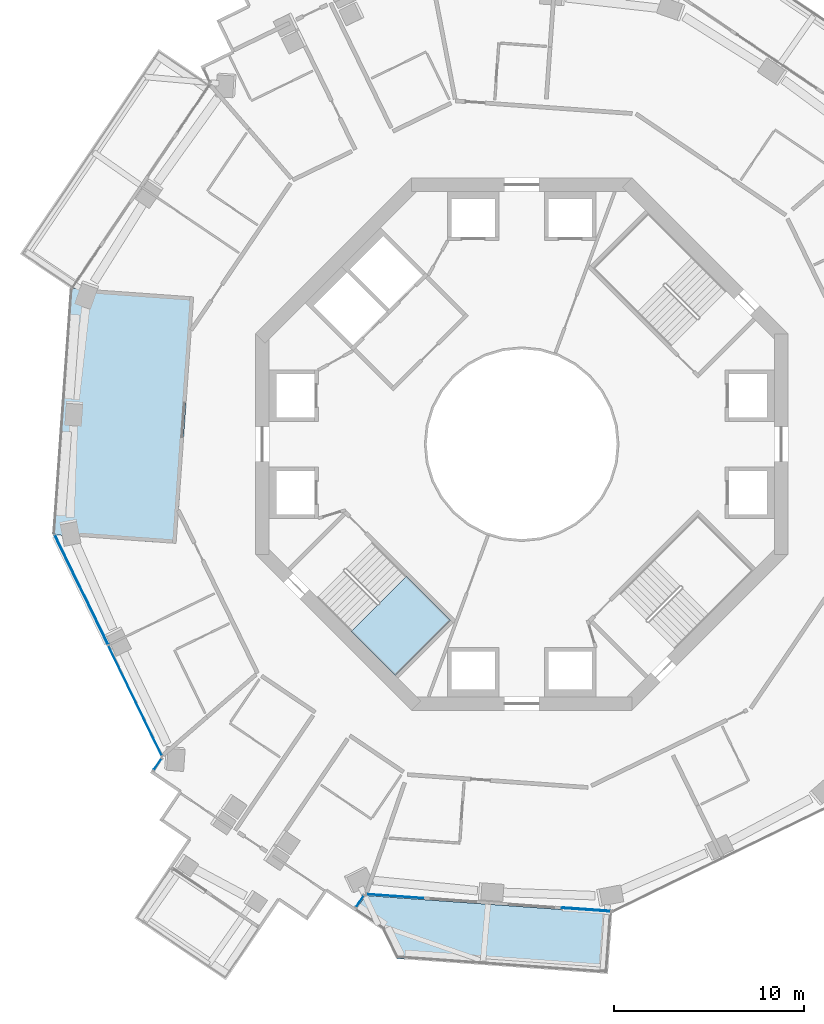
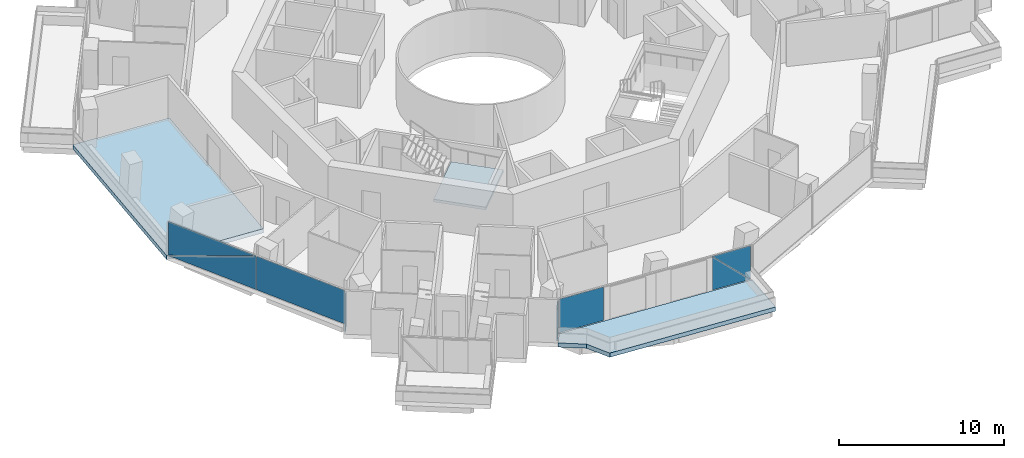
# One storey, part 10 of 22: 8 plates, 3 slabs, 5 elements without a shape of their own.
"""IFC4 building model written with IfcOpenShell, lengths in metres."""

from ifc_helpers import new_model, si_unit, direction, frame, origin, origin_2d, place, context, subcontext, project, spatial, polyline, rectangle, outline, extrude, material, layer, layer_set, type_object, element, aggregate, save


model = new_model("IFC4")

# Units and contexts
model_context = context("Model", 3, precision=1e-05, world=origin(), true_north=direction((0.0, 1.0)))
body_context = subcontext(model_context, "Body", "Model", "MODEL_VIEW")
ifc_project = project(units=[si_unit("LENGTHUNIT", "METRE"), si_unit("AREAUNIT", "SQUARE_METRE"), si_unit("VOLUMEUNIT", "CUBIC_METRE"), si_unit("PLANEANGLEUNIT", "RADIAN"), si_unit("MASSUNIT", "GRAM", prefix="KILO")], contexts=[model_context])

# Site, building, storey
site_placement = place(None, origin())
site = spatial("IfcSite", under=ifc_project, at=site_placement, CompositionType="ELEMENT")
building_placement = place(site_placement, origin())
building = spatial("IfcBuilding", under=site, at=building_placement, Name="Verdalira Terraces Hotel", CompositionType="ELEMENT")
storey_placement = place(building_placement, frame((0.0, 0.0, 140.0)))
storey = spatial("IfcBuildingStorey", under=building, at=storey_placement, Name="L33", CompositionType="ELEMENT", Elevation=140.0)

# Slab
ifc_material_1 = material(Name="Precast concrete C40/50", Category="concrete")
ifc_layer_1 = layer(ifc_material_1, 0.31005859375)
ifc_layer_set_1 = layer_set([ifc_layer_1], Name="Balcony deck 310")
slab_type_1 = type_object("IfcSlabType", Name="Balcony deck 310", PredefinedType="FLOOR", material=ifc_layer_set_1)
slab_1_placement = place(storey_placement, frame((0.0, 0.0, -0.310059)))
element("IfcSlab", 1, at=slab_1_placement, inside=storey, type_object=slab_type_1, Name="Balcony deck", PredefinedType="FLOOR", context=body_context, shape_type="SweptSolid", body=[
    extrude(outline(polyline([(-8.209473, -23.734375), (-8.769775, -24.562744), (-7.335205, -25.533203), (-6.594238, -27.057617), (4.529785, -27.851318), (4.757568, -24.659424), (-8.209473, -23.734375)])), origin(), (0.0, 0.0, 1.0), 0.310059),
])

# Curtain wall, plates
ifc_material_2 = material(Name="Clear glass", Category="glass")
ifc_layer_2 = layer(ifc_material_2, 0.14990234375)
ifc_layer_set_2 = layer_set([ifc_layer_2], Name="CW1 curtain wall")
curtain_wall_type_1 = type_object("IfcCurtainWallType", Name="CW1 curtain wall", PredefinedType="NOTDEFINED", material=ifc_layer_set_2)
curtain_wall_1_placement = place(storey_placement, origin())
curtain_wall_1 = element("IfcCurtainWall", 2, at=curtain_wall_1_placement, inside=storey, type_object=curtain_wall_type_1, Name="CW1 curtain wall L33 edge 13", PredefinedType="NOTDEFINED")
ifc_material_3 = material(Name="Clear glass", Category="glass")
ifc_layer_3 = layer(ifc_material_3, 0.028076171875)
ifc_layer_set_3 = layer_set([ifc_layer_3], Name="CW1 glass unit 28")
plate_type_1 = type_object("IfcPlateType", Name="CW1 glass unit 28", PredefinedType="CURTAIN_PANEL", material=ifc_layer_set_3)
plate_1_placement = place(storey_placement, frame((-23.1521, -7.655273, 1.237549), z_axis=(-0.899405252, -0.437115767, 0.0), x_axis=(0.437115767, -0.899405252, 0.0)))
plate_1 = element("IfcPlate", 3, at=plate_1_placement, type_object=plate_type_1, Name="CW1 glass unit", PredefinedType="CURTAIN_PANEL", context=body_context, shape_type="SweptSolid", body=[
    extrude(outline(polyline([(-3.205078, -1.237549), (3.205078, -1.237549), (3.205078, 1.237549), (-3.205078, -1.237549)])), origin(), (0.0, 0.0, 1.0), 0.028076),
])
plate_2_placement = place(storey_placement, frame((-23.125977, -7.642578, 1.237549), z_axis=(-0.899405252, -0.437115767, 0.0), x_axis=(0.437115767, -0.899405252, 0.0)))
plate_2 = element("IfcPlate", 4, at=plate_2_placement, type_object=plate_type_1, Name="CW1 glass unit", PredefinedType="CURTAIN_PANEL", context=body_context, shape_type="SweptSolid", body=[
    extrude(outline(polyline([(-3.205078, -1.237549), (3.205078, 1.237549), (-3.205078, 1.237549), (-3.205078, -1.237549)])), origin(), (0.0, 0.0, 1.0), 0.028076),
])
plate_3_placement = place(storey_placement, frame((-20.336426, -13.480469, 0.0), z_axis=(0.0, 0.0, 1.0), x_axis=(0.437115767, -0.899405252, 0.0)))
plate_3 = element("IfcPlate", 5, at=plate_3_placement, type_object=plate_type_1, Name="CW1 glass unit", PredefinedType="CURTAIN_PANEL", context=body_context, shape_type="SweptSolid", body=[
    extrude(rectangle(XDim=6.409912, YDim=0.028076, at=origin_2d()), origin(), (0.0, 0.0, 1.0), 2.475098),
])
aggregate(curtain_wall_1, [plate_1, plate_2, plate_3])

curtain_wall_2_placement = place(storey_placement, origin())
curtain_wall_2 = element("IfcCurtainWall", 6, at=curtain_wall_2_placement, inside=storey, type_object=curtain_wall_type_1, Name="CW1 curtain wall L33 edge 25", PredefinedType="NOTDEFINED")
plate_4_placement = place(storey_placement, frame((-6.665527, -23.769287, 0.0), z_axis=(0.0, 0.0, 1.0), x_axis=(0.997465679, -0.071149267, 0.0)))
plate_4 = element("IfcPlate", 7, at=plate_4_placement, type_object=plate_type_1, Name="CW1 glass unit", PredefinedType="CURTAIN_PANEL", context=body_context, shape_type="SweptSolid", body=[
    extrude(rectangle(XDim=2.965088, YDim=0.028076, at=origin_2d()), origin(), (0.0, 0.0, 1.0), 2.475098),
])
plate_5_placement = place(storey_placement, frame((3.38501, -24.472168, 1.237549), z_axis=(-0.071149267, -0.997465679, 0.0), x_axis=(0.997465679, -0.071149267, 0.0)))
plate_5 = element("IfcPlate", 8, at=plate_5_placement, type_object=plate_type_1, Name="CW1 glass unit", PredefinedType="CURTAIN_PANEL", context=body_context, shape_type="SweptSolid", body=[
    extrude(outline(polyline([(-1.282227, -1.237549), (1.282227, -1.237549), (-1.282227, 1.237549), (-1.282227, -1.237549)])), origin(), (0.0, 0.0, 1.0), 0.028076),
])
plate_6_placement = place(storey_placement, frame((3.387207, -24.443115, 1.237549), z_axis=(-0.071149267, -0.997465679, 0.0), x_axis=(0.997465679, -0.071149267, 0.0)))
plate_6 = element("IfcPlate", 9, at=plate_6_placement, type_object=plate_type_1, Name="CW1 glass unit", PredefinedType="CURTAIN_PANEL", context=body_context, shape_type="SweptSolid", body=[
    extrude(outline(polyline([(1.282227, -1.237549), (1.282227, 1.237549), (-1.282227, 1.237549), (1.282227, -1.237549)])), origin(), (0.0, 0.0, 1.0), 0.028076),
])
aggregate(curtain_wall_2, [plate_4, plate_5, plate_6])

# Curtain wall, plate
ifc_material_4 = material(Name="Clear glass", Category="glass")
ifc_layer_4 = layer(ifc_material_4, 0.14990234375)
ifc_layer_set_4 = layer_set([ifc_layer_4], Name="CW2 curtain wall")
curtain_wall_type_2 = type_object("IfcCurtainWallType", Name="CW2 curtain wall", PredefinedType="NOTDEFINED", material=ifc_layer_set_4)
curtain_wall_3_placement = place(storey_placement, origin())
curtain_wall_3 = element("IfcCurtainWall", 10, at=curtain_wall_3_placement, inside=storey, type_object=curtain_wall_type_2, Name="CW2 curtain wall L33 edge 14", PredefinedType="NOTDEFINED")
ifc_material_5 = material(Name="Clear glass", Category="glass")
ifc_layer_5 = layer(ifc_material_5, 0.031982421875)
ifc_layer_set_5 = layer_set([ifc_layer_5], Name="CW2 glass unit 32")
plate_type_2 = type_object("IfcPlateType", Name="CW2 glass unit 32", PredefinedType="CURTAIN_PANEL", material=ifc_layer_set_5)
plate_7_placement = place(storey_placement, frame((-19.152832, -16.84375, 0.0), z_axis=(0.0, 0.0, 1.0), x_axis=(-0.560349913, -0.828255984, 0.0)))
plate_7 = element("IfcPlate", 11, at=plate_7_placement, type_object=plate_type_2, Name="CW2 glass unit", PredefinedType="CURTAIN_PANEL", context=body_context, shape_type="SweptSolid", body=[
    extrude(rectangle(XDim=0.709961, YDim=0.031982, at=origin_2d()), origin(), (0.0, 0.0, 1.0), 2.475098),
])
aggregate(curtain_wall_3, [plate_7])

curtain_wall_4_placement = place(storey_placement, origin())
curtain_wall_4 = element("IfcCurtainWall", 12, at=curtain_wall_4_placement, inside=storey, type_object=curtain_wall_type_2, Name="CW2 curtain wall L33 edge 24", PredefinedType="NOTDEFINED")
plate_8_placement = place(storey_placement, frame((-8.509766, -24.044434, 0.0), z_axis=(0.0, 0.0, 1.0), x_axis=(0.560349913, 0.828255984, 0.0)))
plate_8 = element("IfcPlate", 13, at=plate_8_placement, type_object=plate_type_2, Name="CW2 glass unit", PredefinedType="CURTAIN_PANEL", context=body_context, shape_type="SweptSolid", body=[
    extrude(rectangle(XDim=0.709961, YDim=0.031982, at=origin_2d()), origin(), (0.0, 0.0, 1.0), 2.475098),
])
aggregate(curtain_wall_4, [plate_8])

# Stair, slab
ifc_material_6 = material(Name="Concrete C40", Category="concrete")
stair_type = type_object("IfcStairType", Name="Core stair 20 risers 2000 mm wide", PredefinedType="HALF_TURN_STAIR", material=ifc_material_6)
stair_placement = place(storey_placement, origin())
stair = element("IfcStair", 14, at=stair_placement, inside=storey, type_object=stair_type, Name="L33 Exit stair ST2", PredefinedType="HALF_TURN_STAIR")
ifc_material_7 = material(Name="Concrete C40", Category="concrete")
ifc_layer_6 = layer(ifc_material_7, 0.199951171875)
ifc_layer_set_6 = layer_set([ifc_layer_6], Name="Core stair landing 200 mm")
slab_type_2 = type_object("IfcSlabType", Name="Core stair landing 200 mm", PredefinedType="LANDING", material=ifc_layer_set_6)
slab_2_placement = place(storey_placement, frame((0.0, 0.0, 1.550049)))
slab_2 = element("IfcSlab", 15, at=slab_2_placement, type_object=slab_type_2, Name="ST2 landing 1", PredefinedType="LANDING", context=body_context, shape_type="SweptSolid", body=[
    extrude(outline(polyline([(-8.966553, -9.842529), (-6.646729, -12.162354), (-3.747559, -9.263184), (-6.067383, -6.943359), (-8.966553, -9.842529)])), origin(), (0.0, 0.0, 1.0), 0.199951),
])
aggregate(stair, [slab_2])

# Slab
ifc_material_8 = material(Name="Concrete C40", Category="concrete")
ifc_layer_7 = layer(ifc_material_8, 0.31005859375)
ifc_layer_set_7 = layer_set([ifc_layer_7], Name="Loggia floor deck 310 C40")
slab_type_3 = type_object("IfcSlabType", Name="Loggia floor deck 310 C40", PredefinedType="FLOOR", material=ifc_layer_set_7)
slab_3_placement = place(storey_placement, frame((0.0, 0.0, -0.310059)))
element("IfcSlab", 16, at=slab_3_placement, inside=storey, type_object=slab_type_3, Name="Loggia deck L33", PredefinedType="FLOOR", context=body_context, shape_type="SweptSolid", body=[
    extrude(outline(polyline([(-17.250977, 7.74707), (-23.734375, 8.209473), (-24.65918, -4.757568), (-18.175781, -5.219971), (-17.250977, 7.74707)])), origin(), (0.0, 0.0, 1.0), 0.310059),
])

save(model, "model.ifc")
